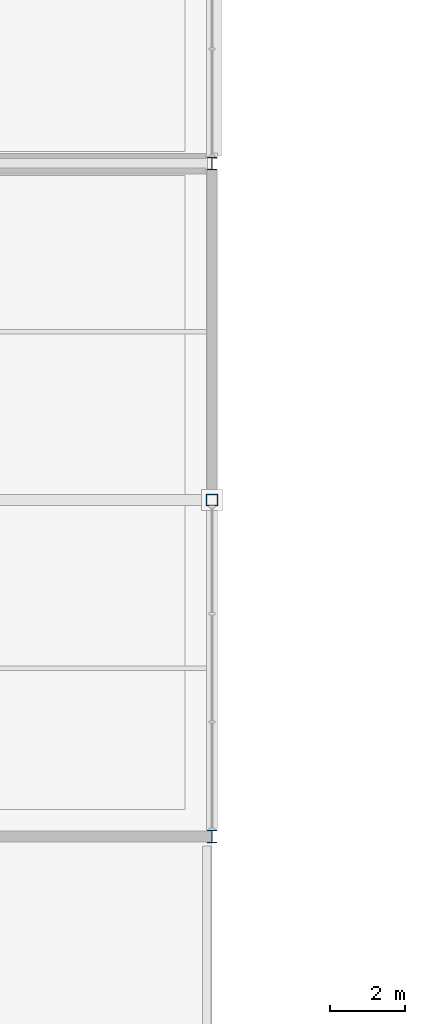
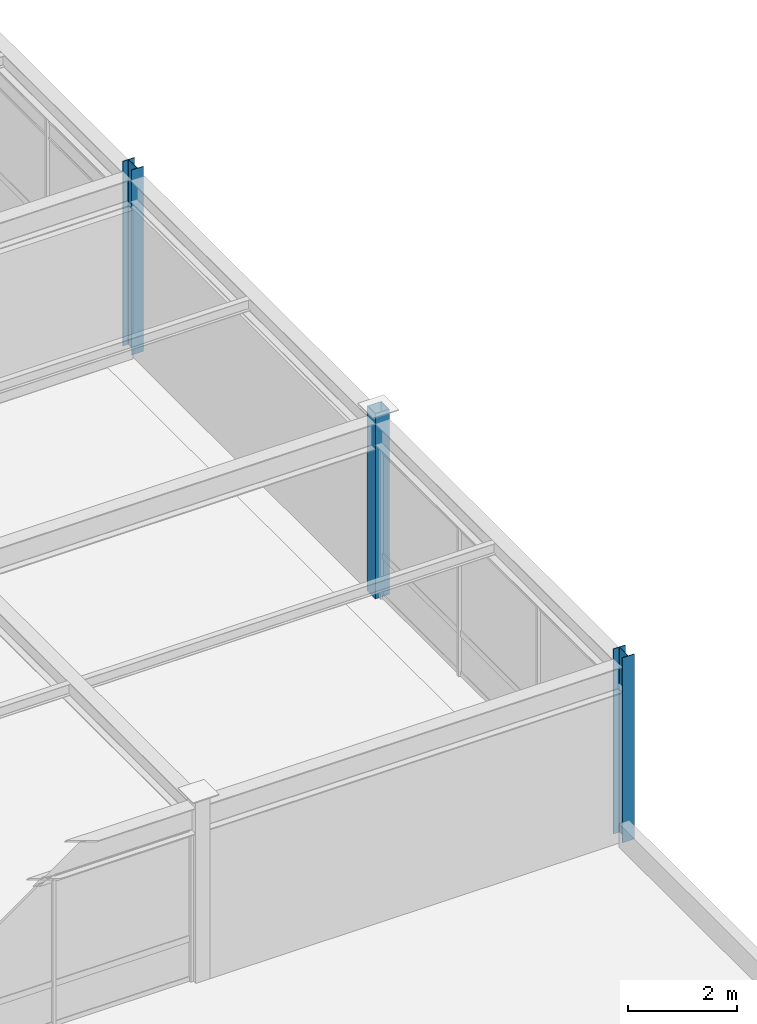
# One storey, part 2 of 108: 3 columns.
"""IFC4 building model written with IfcOpenShell, lengths in metres."""

from ifc_helpers import new_model, si_unit, direction, frame, origin, origin_2d, place, context, subcontext, project, spatial, hollow_rectangle, i_section, extrude, material, material_profile, profile_set, type_object, element, save


model = new_model("IFC4")

# Units and contexts
model_context = context("Model", 3, precision=1e-05, world=origin(), true_north=direction((0.0, 1.0)))
body_context = subcontext(model_context, "Body", "Model", "MODEL_VIEW")
ifc_project = project(units=[si_unit("LENGTHUNIT", "METRE"), si_unit("AREAUNIT", "SQUARE_METRE"), si_unit("VOLUMEUNIT", "CUBIC_METRE"), si_unit("PLANEANGLEUNIT", "RADIAN"), si_unit("MASSUNIT", "GRAM", prefix="KILO")], contexts=[model_context])

# Site, building, storey
site_placement = place(None, origin())
site = spatial("IfcSite", under=ifc_project, at=site_placement, CompositionType="ELEMENT")
building_placement = place(site_placement, origin())
building = spatial("IfcBuilding", under=site, at=building_placement, Name="Suzunagisa Mobility Hub", CompositionType="ELEMENT")
storey_placement = place(building_placement, frame((0.0, 0.0, 9.300048828125)))
storey = spatial("IfcBuildingStorey", under=building, at=storey_placement, Name="L02", CompositionType="ELEMENT", Elevation=9.300048828125)

# Columns
ifc_material = material(Name="Steel SN490B", Category="steel")
ifc_material_profile_1 = material_profile(ifc_material, i_section(OverallWidth=0.25, OverallDepth=0.340087890625, WebThickness=0.009033203125, FlangeThickness=0.013916015625, FilletRadius=0.010009765625, at=origin_2d()), Name="H-340x250x9x14")
ifc_profile_set_1 = profile_set([ifc_material_profile_1], Name="Steel SN490B")
column_type_1 = type_object("IfcColumnType", Name="Steel Column CL-02 H-340x250x9x14", PredefinedType="COLUMN", material=ifc_profile_set_1)
for number, where, z_axis, x_axis, name in (
    (1, (36.0, 9.0, 0.0), (0.0, 0.0, 1.0), (1.0, 0.0, 0.0), "L02 Column 78"),
    (2, (36.0, 27.0, 0.0), (0.0, 0.0, 1.0), (1.0, 0.0, 0.0), "L02 Column 80"),
):
    element("IfcColumn", number, at=place(storey_placement, frame(where, z_axis=z_axis, x_axis=x_axis)), inside=storey, type_object=column_type_1, Name=name, PredefinedType="COLUMN", context=body_context, shape_type="SweptSolid", body=[
        extrude(i_section(OverallWidth=0.25, OverallDepth=0.340087890625, WebThickness=0.009033203125, FlangeThickness=0.013916015625, FilletRadius=0.010009765625, at=origin_2d()), origin(), (0.0, 0.0, 1.0), 4.139892578125),
    ])
ifc_material_profile_2 = material_profile(ifc_material, hollow_rectangle(XDim=0.300048828125, YDim=0.300048828125, WallThickness=0.011962890625, at=origin_2d()), Name="BCR-300x300x12")
ifc_profile_set_2 = profile_set([ifc_material_profile_2], Name="Steel SN490B")
column_type_2 = type_object("IfcColumnType", Name="Steel Column CL-12 BCR-300x300x12", PredefinedType="COLUMN", material=ifc_profile_set_2)
column_placement = place(storey_placement, frame((36.0, 18.0, 0.0), z_axis=(0.0, 0.0, 1.0), x_axis=(1.0, 0.0, 0.0)))
element("IfcColumn", 3, at=column_placement, inside=storey, type_object=column_type_2, Name="L02 Column 79", PredefinedType="COLUMN", context=body_context, shape_type="SweptSolid", body=[
    extrude(hollow_rectangle(XDim=0.300048828125, YDim=0.300048828125, WallThickness=0.011962890625, at=origin_2d()), origin(), (0.0, 0.0, 1.0), 4.139892578125),
])

save(model, "model.ifc")
